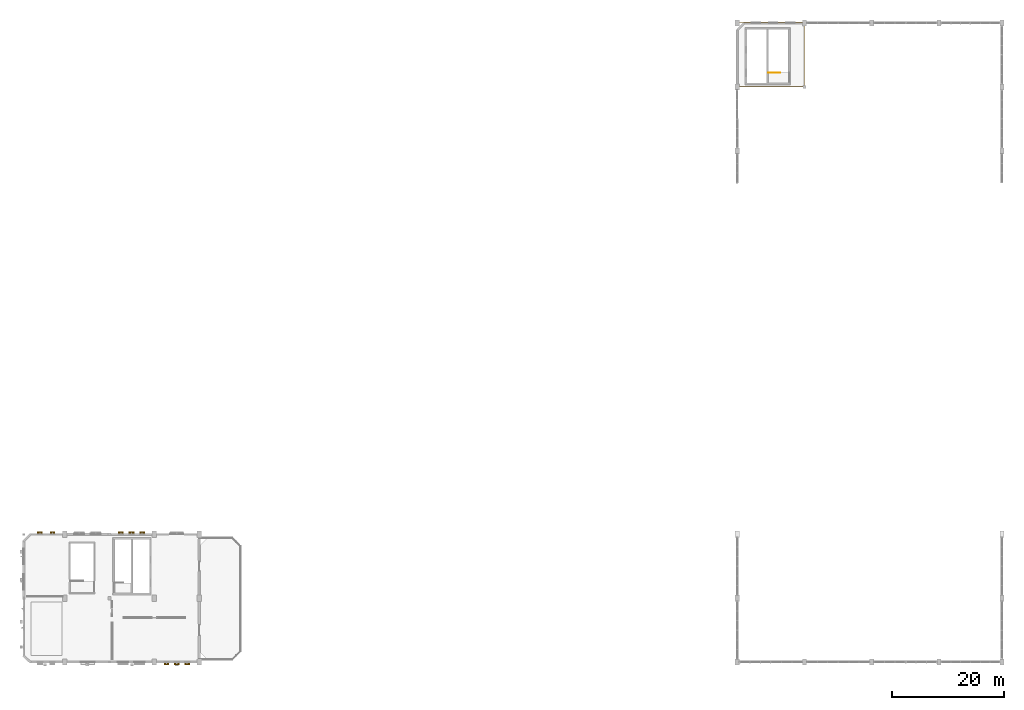
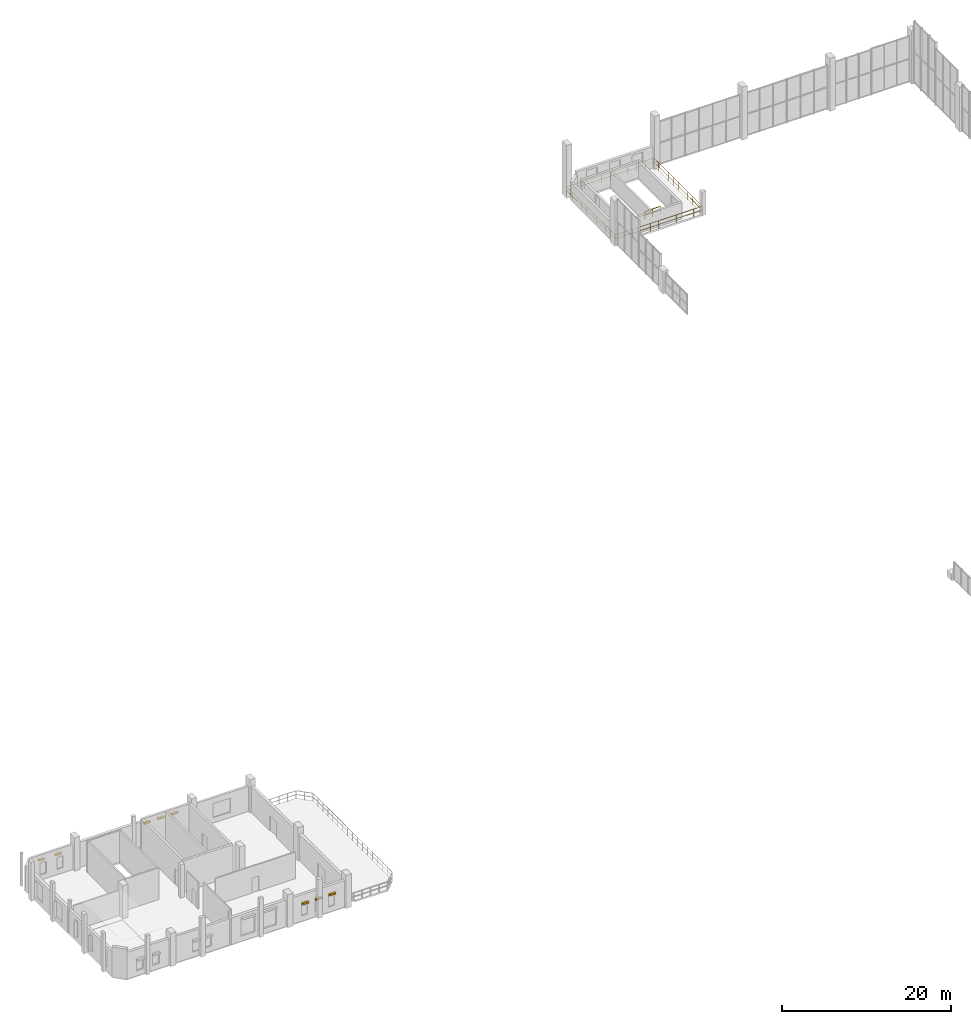
# One storey, part 28 of 28: 8 shading devices, 2 railings.
"""IFC4 building model written with IfcOpenShell, lengths in metres."""

from ifc_helpers import new_model, si_unit, direction, frame, origin, origin_2d, place, context, subcontext, project, spatial, rectangle, circle, extrude, material, layer, layer_set, type_object, element, save


model = new_model("IFC4")

# Units and contexts
model_context = context("Model", 3, precision=1e-05, world=origin(), true_north=direction((0.0, 1.0)))
body_context = subcontext(model_context, "Body", "Model", "MODEL_VIEW")
ifc_project = project(units=[si_unit("LENGTHUNIT", "METRE"), si_unit("AREAUNIT", "SQUARE_METRE"), si_unit("VOLUMEUNIT", "CUBIC_METRE"), si_unit("PLANEANGLEUNIT", "RADIAN"), si_unit("MASSUNIT", "GRAM", prefix="KILO"), si_unit("POWERUNIT", "WATT"), si_unit("THERMODYNAMICTEMPERATUREUNIT", "KELVIN")], contexts=[model_context])

# Site, building, storey
site_placement = place(None, origin())
site = spatial("IfcSite", under=ifc_project, at=site_placement, CompositionType="ELEMENT")
building_placement = place(site_placement, origin())
building = spatial("IfcBuilding", under=site, at=building_placement, Name="Kelmbourne Parkland Aquatics Centre", CompositionType="ELEMENT")
storey_placement = place(building_placement, frame((0.0, 0.0, 19.199951171875)))
storey = spatial("IfcBuildingStorey", under=building, at=storey_placement, Name="L04", CompositionType="ELEMENT", Elevation=19.199951171875)

# Railings
ifc_material_1 = material(Name="Grade 316 stainless steel and laminated glass balustrade", Category="glass")
ifc_layer = layer(ifc_material_1, 0.06005859375)
ifc_layer_set = layer_set([ifc_layer], Name="Grade 316 stainless steel and laminated glass balustrade")
railing_type_1 = type_object("IfcRailingType", Name="RL-BL-114", PredefinedType="BALUSTRADE", material=ifc_layer_set)
railing_1_placement = place(storey_placement, frame((128.050048828125, 114.800048828125, 0.0)))
element("IfcRailing", 1, at=railing_1_placement, inside=storey, type_object=railing_type_1, Name="Safety balustrade BAL-V2-L04-STEP", PredefinedType="BALUSTRADE", context=body_context, shape_type="SweptSolid", body=[
    extrude(circle(Radius=0.02392578125, at=origin_2d()), frame((0.0, 0.0, 1.11572265625), z_axis=(0.0, -1.0, 0.0), x_axis=(1.0, 0.0, 0.0)), (0.0, 0.0, 1.0), 11.35009765625),
    extrude(circle(Radius=0.02392578125, at=origin_2d()), frame((0.0, 0.0, 0.56982421875), z_axis=(0.0, -1.0, 0.0), x_axis=(1.0, 0.0, 0.0)), (0.0, 0.0, 1.0), 11.35009765625),
    extrude(circle(Radius=0.02392578125, at=origin_2d()), frame((0.0, -11.35009765625, 1.11572265625), z_axis=(1.0, 0.0, 0.0), x_axis=(0.0, 1.0, 0.0)), (0.0, 0.0, 1.0), 11.89990234375),
    extrude(circle(Radius=0.02392578125, at=origin_2d()), frame((0.0, -11.35009765625, 0.56982421875), z_axis=(1.0, 0.0, 0.0), x_axis=(0.0, 1.0, 0.0)), (0.0, 0.0, 1.0), 11.89990234375),
    extrude(circle(Radius=0.02392578125, at=origin_2d()), frame((11.89990234375, -11.35009765625, 1.11572265625), z_axis=(0.0, 1.0, 0.0), x_axis=(-1.0, 0.0, 0.0)), (0.0, 0.0, 1.0), 11.5),
    extrude(circle(Radius=0.02392578125, at=origin_2d()), frame((11.89990234375, -11.35009765625, 0.56982421875), z_axis=(0.0, 1.0, 0.0), x_axis=(-1.0, 0.0, 0.0)), (0.0, 0.0, 1.0), 11.5),
    extrude(circle(Radius=0.02392578125, at=origin_2d()), frame((11.89990234375, 0.14990234375, 1.11572265625), z_axis=(-1.0, 0.0, 0.0), x_axis=(0.0, -1.0, 0.0)), (0.0, 0.0, 1.0), 11.89990234375),
    extrude(circle(Radius=0.02392578125, at=origin_2d()), frame((11.89990234375, 0.14990234375, 0.56982421875), z_axis=(-1.0, 0.0, 0.0), x_axis=(0.0, -1.0, 0.0)), (0.0, 0.0, 1.0), 11.89990234375),
    extrude(circle(Radius=0.02099609375, at=origin_2d()), origin(), (0.0, 0.0, 1.0), 1.091796875),
    extrude(circle(Radius=0.02099609375, at=origin_2d()), frame((0.0, -1.135009765625, 0.0)), (0.0, 0.0, 1.0), 1.091796875),
    extrude(circle(Radius=0.02099609375, at=origin_2d()), frame((0.0, -2.27001953125, 0.0)), (0.0, 0.0, 1.0), 1.091796875),
    extrude(circle(Radius=0.02099609375, at=origin_2d()), frame((0.0, -3.405029296875, 0.0)), (0.0, 0.0, 1.0), 1.091796875),
    extrude(circle(Radius=0.02099609375, at=origin_2d()), frame((0.0, -4.5400390625, 0.0)), (0.0, 0.0, 1.0), 1.091796875),
    extrude(circle(Radius=0.02099609375, at=origin_2d()), frame((0.0, -5.675048828125, 0.0)), (0.0, 0.0, 1.0), 1.091796875),
    extrude(circle(Radius=0.02099609375, at=origin_2d()), frame((0.0, -6.81005859375, 0.0)), (0.0, 0.0, 1.0), 1.091796875),
    extrude(circle(Radius=0.02099609375, at=origin_2d()), frame((0.0, -7.945068359375, 0.0)), (0.0, 0.0, 1.0), 1.091796875),
    extrude(circle(Radius=0.02099609375, at=origin_2d()), frame((0.0, -9.080078125, 0.0)), (0.0, 0.0, 1.0), 1.091796875),
    extrude(circle(Radius=0.02099609375, at=origin_2d()), frame((0.0, -10.215087890625, 0.0)), (0.0, 0.0, 1.0), 1.091796875),
    extrude(circle(Radius=0.02099609375, at=origin_2d()), frame((0.0, -11.35009765625, 0.0)), (0.0, 0.0, 1.0), 1.091796875),
    extrude(circle(Radius=0.02099609375, at=origin_2d()), frame((1.18994140625, -11.35009765625, 0.0)), (0.0, 0.0, 1.0), 1.091796875),
    extrude(circle(Radius=0.02099609375, at=origin_2d()), frame((2.3798828125, -11.35009765625, 0.0)), (0.0, 0.0, 1.0), 1.091796875),
    extrude(circle(Radius=0.02099609375, at=origin_2d()), frame((3.570068359375, -11.35009765625, 0.0)), (0.0, 0.0, 1.0), 1.091796875),
    extrude(circle(Radius=0.02099609375, at=origin_2d()), frame((4.760009765625, -11.35009765625, 0.0)), (0.0, 0.0, 1.0), 1.091796875),
    extrude(circle(Radius=0.02099609375, at=origin_2d()), frame((5.949951171875, -11.35009765625, 0.0)), (0.0, 0.0, 1.0), 1.091796875),
    extrude(circle(Radius=0.02099609375, at=origin_2d()), frame((7.139892578125, -11.35009765625, 0.0)), (0.0, 0.0, 1.0), 1.091796875),
    extrude(circle(Radius=0.02099609375, at=origin_2d()), frame((8.329833984375, -11.35009765625, 0.0)), (0.0, 0.0, 1.0), 1.091796875),
    extrude(circle(Radius=0.02099609375, at=origin_2d()), frame((9.52001953125, -11.35009765625, 0.0)), (0.0, 0.0, 1.0), 1.091796875),
    extrude(circle(Radius=0.02099609375, at=origin_2d()), frame((10.7099609375, -11.35009765625, 0.0)), (0.0, 0.0, 1.0), 1.091796875),
    extrude(circle(Radius=0.02099609375, at=origin_2d()), frame((11.89990234375, -11.35009765625, 0.0)), (0.0, 0.0, 1.0), 1.091796875),
    extrude(circle(Radius=0.02099609375, at=origin_2d()), frame((11.89990234375, -10.2001953125, 0.0)), (0.0, 0.0, 1.0), 1.091796875),
    extrude(circle(Radius=0.02099609375, at=origin_2d()), frame((11.89990234375, -9.050048828125, 0.0)), (0.0, 0.0, 1.0), 1.091796875),
    extrude(circle(Radius=0.02099609375, at=origin_2d()), frame((11.89990234375, -7.900146484375, 0.0)), (0.0, 0.0, 1.0), 1.091796875),
    extrude(circle(Radius=0.02099609375, at=origin_2d()), frame((11.89990234375, -6.75, 0.0)), (0.0, 0.0, 1.0), 1.091796875),
    extrude(circle(Radius=0.02099609375, at=origin_2d()), frame((11.89990234375, -5.60009765625, 0.0)), (0.0, 0.0, 1.0), 1.091796875),
    extrude(circle(Radius=0.02099609375, at=origin_2d()), frame((11.89990234375, -4.4501953125, 0.0)), (0.0, 0.0, 1.0), 1.091796875),
    extrude(circle(Radius=0.02099609375, at=origin_2d()), frame((11.89990234375, -3.300048828125, 0.0)), (0.0, 0.0, 1.0), 1.091796875),
    extrude(circle(Radius=0.02099609375, at=origin_2d()), frame((11.89990234375, -2.150146484375, 0.0)), (0.0, 0.0, 1.0), 1.091796875),
    extrude(circle(Radius=0.02099609375, at=origin_2d()), frame((11.89990234375, -1.0, 0.0)), (0.0, 0.0, 1.0), 1.091796875),
    extrude(circle(Radius=0.02099609375, at=origin_2d()), frame((11.89990234375, 0.14990234375, 0.0)), (0.0, 0.0, 1.0), 1.091796875),
    extrude(circle(Radius=0.02099609375, at=origin_2d()), frame((10.7099609375, 0.14990234375, 0.0)), (0.0, 0.0, 1.0), 1.091796875),
    extrude(circle(Radius=0.02099609375, at=origin_2d()), frame((9.52001953125, 0.14990234375, 0.0)), (0.0, 0.0, 1.0), 1.091796875),
    extrude(circle(Radius=0.02099609375, at=origin_2d()), frame((8.329833984375, 0.14990234375, 0.0)), (0.0, 0.0, 1.0), 1.091796875),
    extrude(circle(Radius=0.02099609375, at=origin_2d()), frame((7.139892578125, 0.14990234375, 0.0)), (0.0, 0.0, 1.0), 1.091796875),
    extrude(circle(Radius=0.02099609375, at=origin_2d()), frame((5.949951171875, 0.14990234375, 0.0)), (0.0, 0.0, 1.0), 1.091796875),
    extrude(circle(Radius=0.02099609375, at=origin_2d()), frame((4.760009765625, 0.14990234375, 0.0)), (0.0, 0.0, 1.0), 1.091796875),
    extrude(circle(Radius=0.02099609375, at=origin_2d()), frame((3.570068359375, 0.14990234375, 0.0)), (0.0, 0.0, 1.0), 1.091796875),
    extrude(circle(Radius=0.02099609375, at=origin_2d()), frame((2.3798828125, 0.14990234375, 0.0)), (0.0, 0.0, 1.0), 1.091796875),
    extrude(circle(Radius=0.02099609375, at=origin_2d()), frame((1.18994140625, 0.14990234375, 0.0)), (0.0, 0.0, 1.0), 1.091796875),
    extrude(circle(Radius=0.02099609375, at=origin_2d()), frame((0.0, 0.14990234375, 0.0)), (0.0, 0.0, 1.0), 1.091796875),
])
ifc_material_2 = material(Name="Grade 316 marine stainless steel", Category="steel")
railing_type_2 = type_object("IfcRailingType", Name="RL-GD-112", PredefinedType="GUARDRAIL", material=ifc_material_2)
railing_2_placement = place(storey_placement, frame((133.544921875, 105.949951171875, 0.0)))
element("IfcRailing", 2, at=railing_2_placement, inside=storey, type_object=railing_type_2, Name="North Diving Control Fire-Fighting Core Stair ST05 top well guardrail", PredefinedType="GUARDRAIL", context=body_context, shape_type="SweptSolid", body=[
    extrude(circle(Radius=0.02392578125, at=origin_2d()), frame((0.0, 0.0, 1.09619140625), z_axis=(1.0, 0.0, 0.0), x_axis=(0.0, 1.0, 0.0)), (0.0, 0.0, 1.0), 2.0849609375),
    extrude(circle(Radius=0.02392578125, at=origin_2d()), frame((0.0, 0.0, 0.56005859375), z_axis=(1.0, 0.0, 0.0), x_axis=(0.0, 1.0, 0.0)), (0.0, 0.0, 1.0), 2.0849609375),
    extrude(circle(Radius=0.02099609375, at=origin_2d()), origin(), (0.0, 0.0, 1.0), 1.072021484375),
    extrude(circle(Radius=0.02099609375, at=origin_2d()), frame((1.04248046875, 0.0, 0.0)), (0.0, 0.0, 1.0), 1.072021484375),
    extrude(circle(Radius=0.02099609375, at=origin_2d()), frame((2.0849609375, 0.0, 0.0)), (0.0, 0.0, 1.0), 1.072021484375),
])

# Shading devices
ifc_material_3 = material(Name="Architectural extruded terracotta baguettes", Category="masonry")
shading_device_type = type_object("IfcShadingDeviceType", Name="SHD-JAL-1", PredefinedType="JALOUSIE", material=ifc_material_3)
for number, where, z_axis, x_axis, name in (
    (3, (26.152099609375, 0.485107421875, 2.5), (0.0, 0.0, 1.0), (1.0, 0.0, 0.0), "Terracotta horizontal jalousie hood 204"),
    (4, (28.0, 0.485107421875, 2.5), (0.0, 0.0, 1.0), (1.0, 0.0, 0.0), "Terracotta horizontal jalousie hood 205"),
    (5, (29.847900390625, 0.485107421875, 2.5), (0.0, 0.0, 1.0), (1.0, 0.0, 0.0), "Terracotta horizontal jalousie hood 206"),
    (6, (3.574951171875, 23.89501953125, 2.5), (0.0, 0.0, 1.0), (1.0, 0.0, 0.0), "Terracotta horizontal jalousie hood 207"),
    (7, (5.847900390625, 23.89501953125, 2.5), (0.0, 0.0, 1.0), (1.0, 0.0, 0.0), "Terracotta horizontal jalousie hood 208"),
):
    element("IfcShadingDevice", number, at=place(storey_placement, frame(where, z_axis=z_axis, x_axis=x_axis)), inside=storey, type_object=shading_device_type, Name=name, PredefinedType="JALOUSIE", context=body_context, shape_type="SweptSolid", body=[
        extrude(rectangle(XDim=0.85009765625, YDim=0.300048828125, at=origin_2d()), origin(), (0.0, 0.0, 1.0), 0.239990234375),
    ])
for number, where, z_axis, x_axis, name in (
    (8, (18.027099609375, 23.9150390625, 2.80029296875), (0.0, 0.0, 1.0), (1.0, 0.0, 0.0), "Terracotta horizontal jalousie hood 211"),
    (9, (19.925048828125, 23.9150390625, 2.80029296875), (0.0, 0.0, 1.0), (1.0, 0.0, 0.0), "Terracotta horizontal jalousie hood 212"),
    (10, (21.822998046875, 23.9150390625, 2.80029296875), (0.0, 0.0, 1.0), (1.0, 0.0, 0.0), "Terracotta horizontal jalousie hood 213"),
):
    element("IfcShadingDevice", number, at=place(storey_placement, frame(where, z_axis=z_axis, x_axis=x_axis)), inside=storey, type_object=shading_device_type, Name=name, PredefinedType="JALOUSIE", context=body_context, shape_type="SweptSolid", body=[
        extrude(rectangle(XDim=0.89990234375, YDim=0.300048828125, at=origin_2d()), origin(), (0.0, 0.0, 1.0), 0.239990234375),
    ])

save(model, "model.ifc")
